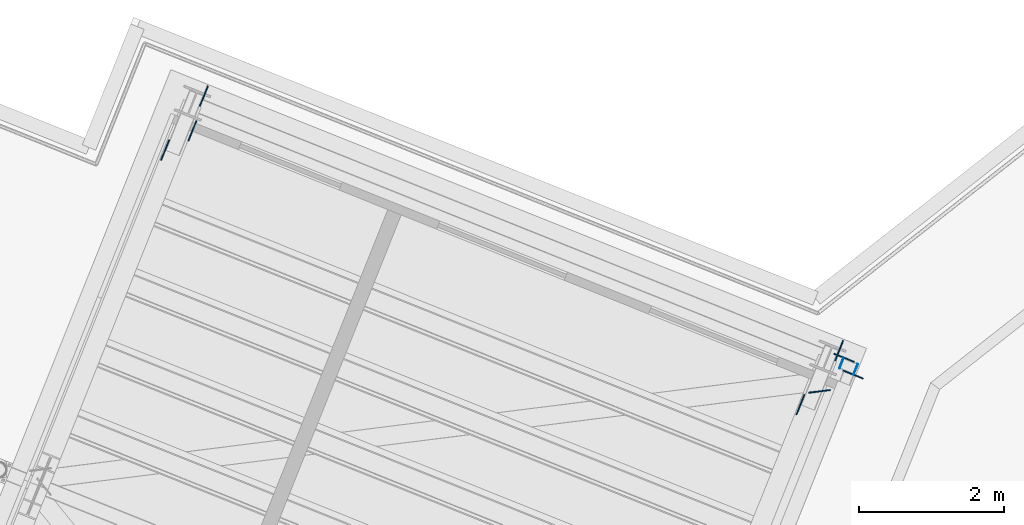
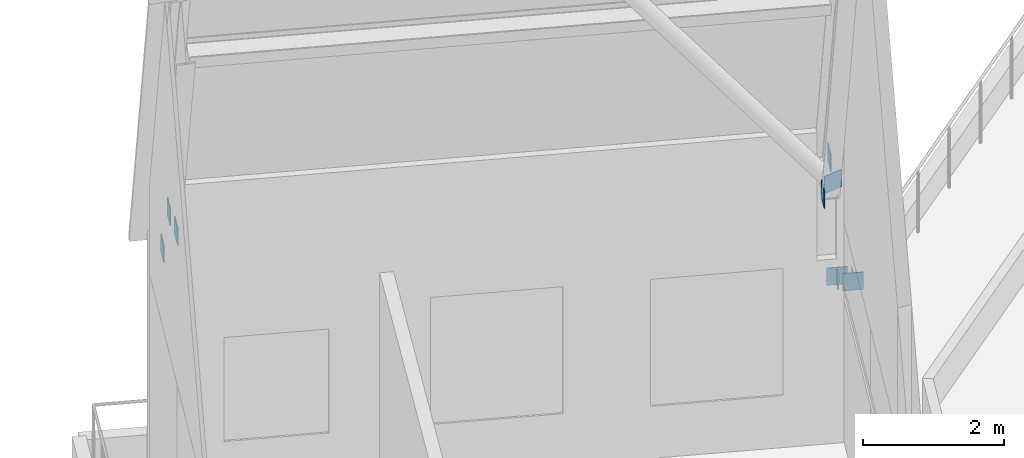
# One storey, part 24 of 32: 10 discrete accessories.
"""IFC4 building model written with IfcOpenShell, lengths in metres."""

from ifc_helpers import new_model, si_unit, direction, frame, origin, origin_2d, place, context, subcontext, project, spatial, rectangle, extrude, element, save


model = new_model("IFC4")

# Units and contexts
model_context = context("Model", 3, precision=1e-05, world=origin(), true_north=direction((0.0, 1.0)))
body_context = subcontext(model_context, "Body", "Model", "MODEL_VIEW")
ifc_project = project(units=[si_unit("LENGTHUNIT", "METRE"), si_unit("AREAUNIT", "SQUARE_METRE"), si_unit("VOLUMEUNIT", "CUBIC_METRE"), si_unit("PLANEANGLEUNIT", "RADIAN"), si_unit("MASSUNIT", "GRAM", prefix="KILO")], contexts=[model_context])

# Site, building, storey
site_placement = place(None, origin())
site = spatial("IfcSite", under=ifc_project, at=site_placement, CompositionType="ELEMENT")
building_placement = place(site_placement, origin())
building = spatial("IfcBuilding", under=site, at=building_placement, Name="Verdalira Terraces Hotel", CompositionType="ELEMENT")
storey_placement = place(building_placement, frame((0.0, 0.0, 315.0)))
storey = spatial("IfcBuildingStorey", under=building, at=storey_placement, Name="L78", CompositionType="ELEMENT", Elevation=315.0)

# Discrete accessories
discrete_accessory_1_placement = place(storey_placement, frame((-19.520996, 13.964355, 2.583008), z_axis=(-0.924261426, 0.381760154, 0.0), x_axis=(-0.381760154, -0.924261426, 0.0)))
element("IfcDiscreteAccessory", 1, at=discrete_accessory_1_placement, inside=storey, Name="End cap plate", PredefinedType="ANCHORPLATE", context=body_context, shape_type="SweptSolid", body=[
    extrude(rectangle(XDim=0.152344, YDim=0.253906, at=origin_2d()), origin(), (0.0, 0.0, 1.0), 0.012207),
])
discrete_accessory_2_placement = place(storey_placement, frame((-19.719727, 14.044189, 2.583008), z_axis=(-0.93124278, 0.364399349, 0.0), x_axis=(-0.364399349, -0.93124278, 0.0)))
element("IfcDiscreteAccessory", 2, at=discrete_accessory_2_placement, inside=storey, Name="End cap plate", PredefinedType="ANCHORPLATE", context=body_context, shape_type="SweptSolid", body=[
    extrude(rectangle(XDim=0.152344, YDim=0.253906, at=origin_2d()), origin(), (0.0, 0.0, 1.0), 0.011963),
])
for number, where, z_axis, x_axis, name in (
    (3, (-29.074219, 16.994629, 4.45166), (0.0, 0.0, 1.0), (0.37201595, 0.928226337, 0.0), "Connection plate"),
    (4, (-28.697754, 17.259277, 4.464355), (0.0, 0.0, 1.0), (-0.37201595, -0.928226337, 0.0), "Connection plate"),
    (5, (-28.539062, 17.740234, 4.45166), (0.0, 0.0, 1.0), (-0.37201595, -0.928226337, 0.0), "Connection plate"),
    (6, (-20.292236, 13.475098, 4.45166), (0.0, 0.0, 1.0), (0.37201595, 0.928226337, 0.0), "Connection plate"),
    (7, (-20.030518, 13.658203, 4.464355), (0.0, 0.0, 1.0), (-0.992215875, -0.124529746, 0.0), "Connection plate"),
    (8, (-19.688477, 14.122314, 2.433105), (0.0, 0.0, 1.0), (0.928226337, -0.37201595, 0.0), "Connection plate"),
    (9, (-19.757324, 14.220703, 4.45166), (0.0, 0.0, 1.0), (-0.37201595, -0.928226337, 0.0), "Connection plate"),
    (10, (-19.563477, 13.890625, 2.433105), (0.0, 0.0, 1.0), (-0.928226337, 0.37201595, 0.0), "Connection plate"),
):
    element("IfcDiscreteAccessory", number, at=place(storey_placement, frame(where, z_axis=z_axis, x_axis=x_axis)), inside=storey, Name=name, PredefinedType="BRACKET", context=body_context, shape_type="SweptSolid", body=[
        extrude(rectangle(XDim=0.300049, YDim=0.016113, at=origin_2d()), origin(), (0.0, 0.0, 1.0), 0.300049),
    ])

save(model, "model.ifc")
